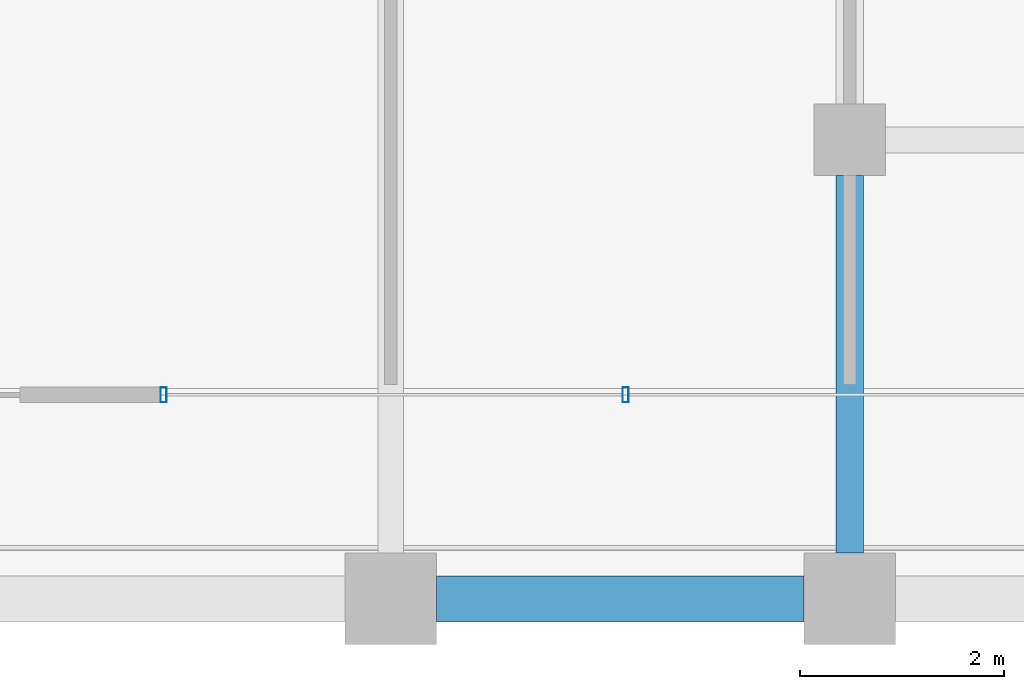
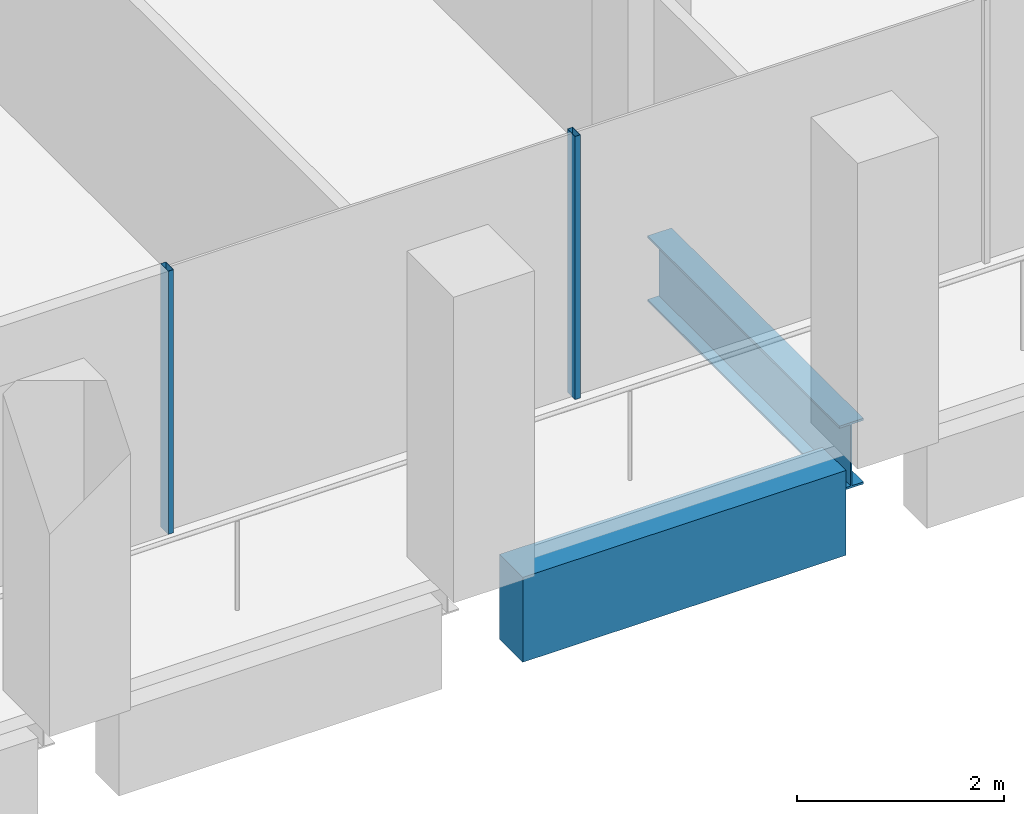
# One storey, part 9 of 40: 2 beams, 2 members, 1 element without a shape of its own.
"""IFC4 building model written with IfcOpenShell, lengths in metres."""

from ifc_helpers import new_model, si_unit, direction, frame, origin, origin_2d, place, context, subcontext, project, spatial, rectangle, hollow_rectangle, i_section, extrude, material, material_profile, profile_set, type_object, element, aggregate, save


model = new_model("IFC4")

# Units and contexts
model_context = context("Model", 3, precision=1e-05, world=origin(), true_north=direction((0.0, 1.0)))
body_context = subcontext(model_context, "Body", "Model", "MODEL_VIEW")
ifc_project = project(units=[si_unit("LENGTHUNIT", "METRE"), si_unit("AREAUNIT", "SQUARE_METRE"), si_unit("VOLUMEUNIT", "CUBIC_METRE"), si_unit("PLANEANGLEUNIT", "RADIAN"), si_unit("MASSUNIT", "GRAM", prefix="KILO")], contexts=[model_context])

# Site, building, storey
site_placement = place(None, origin())
site = spatial("IfcSite", under=ifc_project, at=site_placement, CompositionType="ELEMENT")
building_placement = place(site_placement, origin())
building = spatial("IfcBuilding", under=site, at=building_placement, Name="Altepetl Exchange Towers", CompositionType="ELEMENT")
storey_placement = place(building_placement, frame((0.0, 0.0, 172.60009765625)))
storey = spatial("IfcBuildingStorey", under=building, at=storey_placement, Name="L43", CompositionType="ELEMENT", Elevation=172.60009765625)

# Beam
ifc_material_1 = material(Name="Steel S355", Category="steel")
ifc_material_profile_1 = material_profile(ifc_material_1, i_section(OverallWidth=0.26806640625, OverallDepth=0.77392578125, WebThickness=0.015380859375, FlangeThickness=0.025390625, at=origin_2d()), Name="W30X132")
ifc_profile_set_1 = profile_set([ifc_material_profile_1], Name="Steel S355")
beam_type_1 = type_object("IfcBeamType", Name="Girder W30X132", PredefinedType="BEAM", material=ifc_profile_set_1)
beam_1_placement = place(storey_placement, frame((58.5, 31.14990234375, -0.537109375), z_axis=(0.0, -1.0, 0.0), x_axis=(1.0, 0.0, 0.0)))
element("IfcBeam", 1, at=beam_1_placement, inside=storey, type_object=beam_type_1, Name="gd:A:L43:005", PredefinedType="BEAM", context=body_context, shape_type="SweptSolid", body=[
    extrude(i_section(OverallWidth=0.26806640625, OverallDepth=0.77392578125, WebThickness=0.015380859375, FlangeThickness=0.025390625, at=origin_2d()), origin(), (0.0, 0.0, 1.0), 3.699951171875),
])

# Curtain wall, members
ifc_material_2 = material(Name="Aluminium 6063-T6 glazing", Category="aluminium")
curtain_wall_type = type_object("IfcCurtainWallType", Name="Loggia glazing system", PredefinedType="NOTDEFINED", material=ifc_material_2)
curtain_wall_placement = place(storey_placement, origin())
curtain_wall = element("IfcCurtainWall", 2, at=curtain_wall_placement, inside=storey, type_object=curtain_wall_type, Name="CW1 run", PredefinedType="NOTDEFINED")
ifc_material_3 = material(Name="Aluminium 6063-T6", Category="aluminium")
ifc_material_profile_2 = material_profile(ifc_material_3, hollow_rectangle(XDim=0.06005859375, YDim=0.14990234375, WallThickness=0.0029296875, at=origin_2d()), Name="Mullion 60x150 aluminium")
ifc_profile_set_2 = profile_set([ifc_material_profile_2], Name="Aluminium 6063-T6")
member_type = type_object("IfcMemberType", Name="Mullion 60x150 aluminium", PredefinedType="MULLION", material=ifc_profile_set_2)
member_1_placement = place(storey_placement, frame((51.77294921875, 29.0, 0.0)))
member_1 = element("IfcMember", 3, at=member_1_placement, type_object=member_type, Name="MU1 mullion", PredefinedType="MULLION", context=body_context, shape_type="SweptSolid", body=[
    extrude(hollow_rectangle(XDim=0.06005859375, YDim=0.14990234375, WallThickness=0.0029296875, at=origin_2d()), origin(), (0.0, 0.0, 1.0), 3.099853515625),
])
member_2_placement = place(storey_placement, frame((56.303466796875, 29.0, 0.0)))
member_2 = element("IfcMember", 4, at=member_2_placement, type_object=member_type, Name="MU1 mullion", PredefinedType="MULLION", context=body_context, shape_type="SweptSolid", body=[
    extrude(hollow_rectangle(XDim=0.06005859375, YDim=0.14990234375, WallThickness=0.0029296875, at=origin_2d()), origin(), (0.0, 0.0, 1.0), 3.099853515625),
])
aggregate(curtain_wall, [member_1, member_2])

# Beam
ifc_material_4 = material(Name="Concrete C50/60 precast with cantera blanca facing", Category="concrete")
ifc_material_profile_3 = material_profile(ifc_material_4, rectangle(XDim=0.449951171875, YDim=1.0, at=origin_2d()), Name="450 x 1000")
ifc_profile_set_3 = profile_set([ifc_material_profile_3], Name="Concrete C50/60 precast with cantera blanca facing")
beam_type_2 = type_object("IfcBeamType", Name="Spandrel beam 450x1000 cantera blanca", PredefinedType="SPANDREL", material=ifc_profile_set_3)
beam_2_placement = place(storey_placement, frame((54.449951171875, 27.0, -0.650146484375), z_axis=(1.0, 0.0, 0.0), x_axis=(0.0, 1.0, 0.0)))
element("IfcBeam", 5, at=beam_2_placement, inside=storey, type_object=beam_type_2, Name="sp:A:L43:005", PredefinedType="SPANDREL", context=body_context, shape_type="SweptSolid", body=[
    extrude(rectangle(XDim=0.449951171875, YDim=1.0, at=origin_2d()), origin(), (0.0, 0.0, 1.0), 3.60009765625),
])

save(model, "model.ifc")
